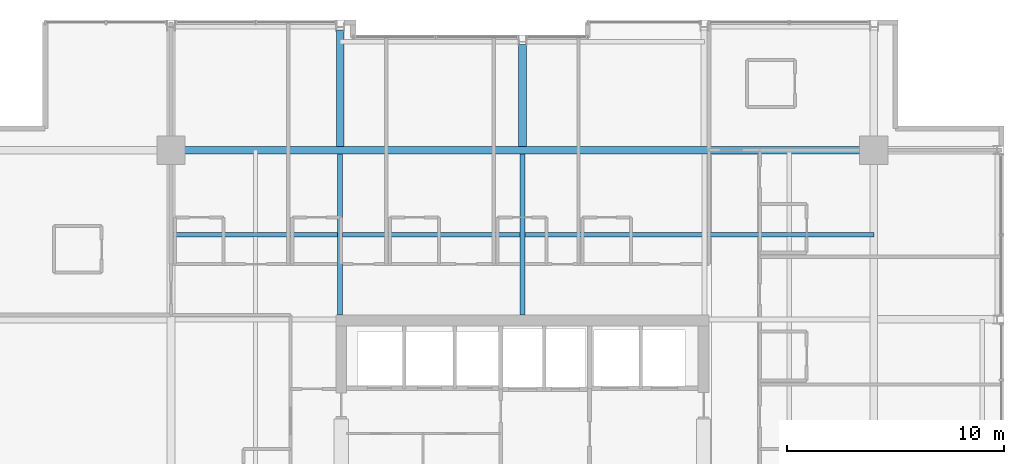
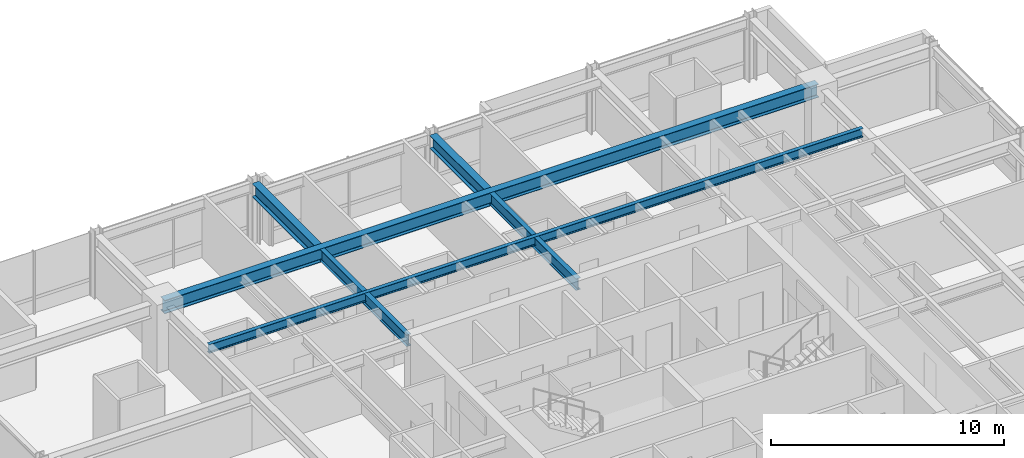
# One storey, part 19 of 32: 6 beams.
"""IFC4 building model written with IfcOpenShell, lengths in metres."""

from ifc_helpers import new_model, si_unit, direction, frame, origin, origin_2d, place, context, subcontext, project, spatial, i_section, extrude, material, material_profile, profile_set, type_object, element, save


model = new_model("IFC4")

# Units and contexts
model_context = context("Model", 3, precision=1e-05, world=origin(), true_north=direction((0.0, 1.0)))
body_context = subcontext(model_context, "Body", "Model", "MODEL_VIEW")
ifc_project = project(units=[si_unit("LENGTHUNIT", "METRE"), si_unit("AREAUNIT", "SQUARE_METRE"), si_unit("VOLUMEUNIT", "CUBIC_METRE"), si_unit("PLANEANGLEUNIT", "RADIAN"), si_unit("MASSUNIT", "GRAM", prefix="KILO")], contexts=[model_context])

# Site, building, storey
site_placement = place(None, origin())
site = spatial("IfcSite", under=ifc_project, at=site_placement, CompositionType="ELEMENT")
building_placement = place(site_placement, origin())
building = spatial("IfcBuilding", under=site, at=building_placement, Name="Drelvath Grand Hotel", CompositionType="ELEMENT")
storey_placement = place(building_placement, frame((0.0, 0.0, 157.5)))
storey = spatial("IfcBuildingStorey", under=building, at=storey_placement, Name="L40", CompositionType="ELEMENT", Elevation=157.5)

# Beams
ifc_material = material(Name="Steel ASTM A992 Gr 50", Category="steel")
ifc_material_profile_1 = material_profile(ifc_material, i_section(OverallWidth=0.19140625, OverallDepth=0.4599609375, WebThickness=0.010009765625, FlangeThickness=0.01611328125, FilletRadius=0.01611328125, at=origin_2d()), Name="W18X55")
ifc_profile_set_1 = profile_set([ifc_material_profile_1], Name="Steel ASTM A992 Gr 50")
beam_type_1 = type_object("IfcBeamType", Name="Composite Floor Joist W18X55", PredefinedType="JOIST", material=ifc_profile_set_1)
beam_1_placement = place(storey_placement, frame((-16.199951171875, 39.300048828125, 3.06005859375), z_axis=(1.0, 0.0, 0.0), x_axis=(0.0, 1.0, 0.0)))
element("IfcBeam", 1, at=beam_1_placement, inside=storey, type_object=beam_type_1, Name="L40 Floor Joist J2", PredefinedType="JOIST", context=body_context, shape_type="SweptSolid", body=[
    extrude(i_section(OverallWidth=0.19140625, OverallDepth=0.4599609375, WebThickness=0.010009765625, FlangeThickness=0.01611328125, FilletRadius=0.01611328125, at=origin_2d()), origin(), (0.0, 0.0, 1.0), 32.39990234375),
])
ifc_material_profile_2 = material_profile(ifc_material, i_section(OverallWidth=0.228271484375, OverallDepth=0.607666015625, WebThickness=0.01123046875, FlangeThickness=0.017333984375, FilletRadius=0.02001953125, at=origin_2d()), Name="W24X76")
ifc_profile_set_2 = profile_set([ifc_material_profile_2], Name="Steel ASTM A992 Gr 50")
beam_type_2 = type_object("IfcBeamType", Name="Primary Floor Girder W24X76", PredefinedType="BEAM", material=ifc_profile_set_2)
for number, where, z_axis, x_axis, name in (
    (2, (-8.39990234375, 35.60009765625, 2.986083984375), (0.0, 1.0, 0.0), (-1.0, 0.0, 0.0), "L40 North Core Tie 4"),
    (3, (0.0, 35.60009765625, 2.986083984375), (0.0, 1.0, 0.0), (-1.0, 0.0, 0.0), "L40 North Core Tie 5"),
):
    element("IfcBeam", number, at=place(storey_placement, frame(where, z_axis=z_axis, x_axis=x_axis)), inside=storey, type_object=beam_type_2, Name=name, PredefinedType="BEAM", context=body_context, shape_type="SweptSolid", body=[
        extrude(i_section(OverallWidth=0.228271484375, OverallDepth=0.607666015625, WebThickness=0.01123046875, FlangeThickness=0.017333984375, FilletRadius=0.02001953125, at=origin_2d()), origin(), (0.0, 0.0, 1.0), 7.422607421875),
    ])
ifc_material_profile_3 = material_profile(ifc_material, i_section(OverallWidth=0.354736328125, OverallDepth=0.695556640625, WebThickness=0.015380859375, FlangeThickness=0.025146484375, FilletRadius=0.02392578125, at=origin_2d()), Name="W27X146")
ifc_profile_set_3 = profile_set([ifc_material_profile_3], Name="Steel ASTM A992 Gr 50")
beam_type_3 = type_object("IfcBeamType", Name="Primary Floor Girder W27X146", PredefinedType="BEAM", material=ifc_profile_set_3)
beam_2_placement = place(storey_placement, frame((-16.199951171875, 43.199951171875, 2.9423828125), z_axis=(1.0, 0.0, 0.0), x_axis=(0.0, 1.0, 0.0)))
element("IfcBeam", 4, at=beam_2_placement, inside=storey, type_object=beam_type_3, Name="L40 Mega Ring Girder North", PredefinedType="BEAM", context=body_context, shape_type="SweptSolid", body=[
    extrude(i_section(OverallWidth=0.354736328125, OverallDepth=0.695556640625, WebThickness=0.015380859375, FlangeThickness=0.025146484375, FilletRadius=0.02392578125, at=origin_2d()), origin(), (0.0, 0.0, 1.0), 32.39990234375),
])
beam_3_placement = place(storey_placement, frame((-8.39990234375, 43.37744140625, 2.9423828125), z_axis=(0.0, 1.0, 0.0), x_axis=(-1.0, 0.0, 0.0)))
element("IfcBeam", 5, at=beam_3_placement, inside=storey, type_object=beam_type_3, Name="L40 North Wing Girder 4", PredefinedType="BEAM", context=body_context, shape_type="SweptSolid", body=[
    extrude(i_section(OverallWidth=0.354736328125, OverallDepth=0.695556640625, WebThickness=0.015380859375, FlangeThickness=0.025146484375, FilletRadius=0.02392578125, at=origin_2d()), origin(), (0.0, 0.0, 1.0), 5.362548828125),
])
beam_4_placement = place(storey_placement, frame((0.0, 43.37744140625, 2.9423828125), z_axis=(0.0, 1.0, 0.0), x_axis=(-1.0, 0.0, 0.0)))
element("IfcBeam", 6, at=beam_4_placement, inside=storey, type_object=beam_type_3, Name="L40 North Wing Girder 5", PredefinedType="BEAM", context=body_context, shape_type="SweptSolid", body=[
    extrude(i_section(OverallWidth=0.354736328125, OverallDepth=0.695556640625, WebThickness=0.015380859375, FlangeThickness=0.025146484375, FilletRadius=0.02392578125, at=origin_2d()), origin(), (0.0, 0.0, 1.0), 4.6826171875),
])

save(model, "model.ifc")
